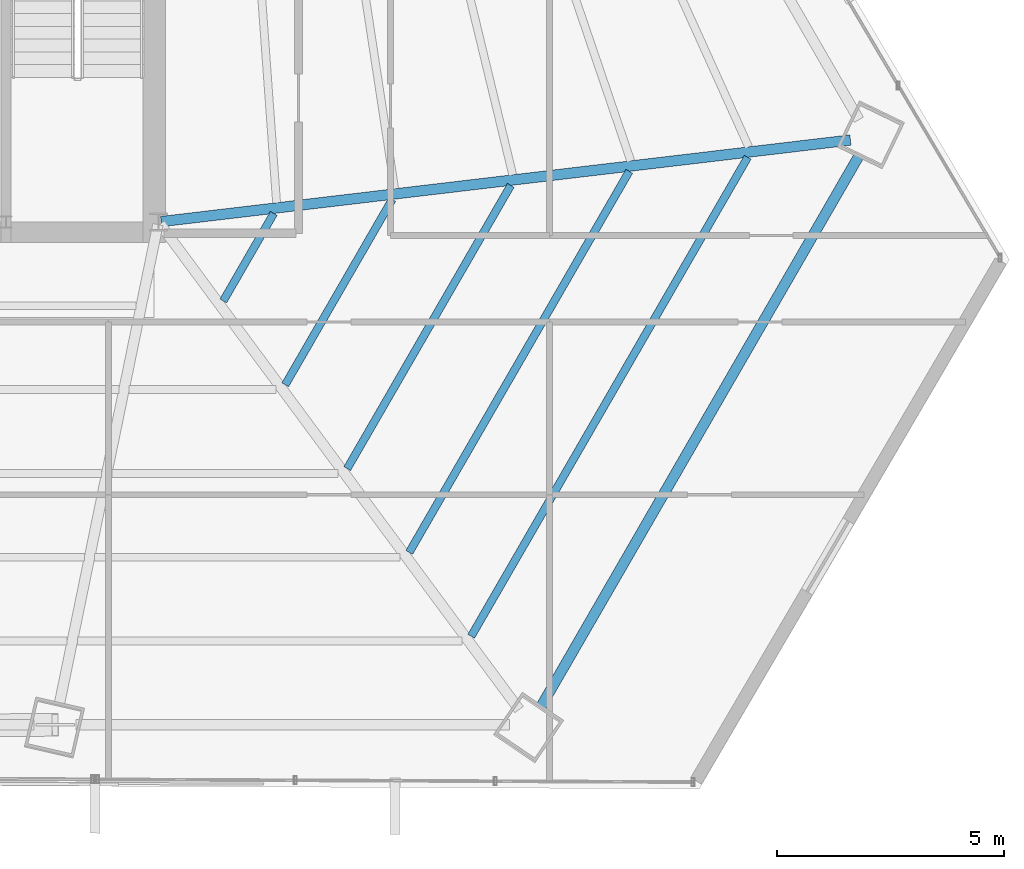
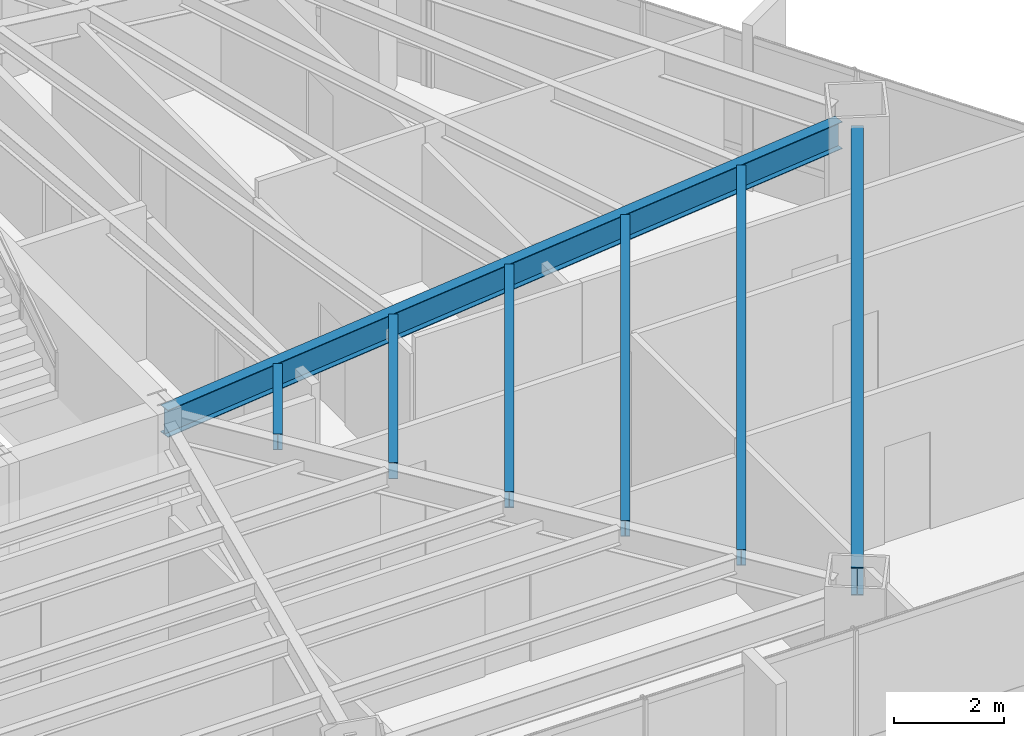
# One storey, part 18 of 37: 7 beams.
"""IFC4 building model written with IfcOpenShell, lengths in metres."""

from ifc_helpers import new_model, si_unit, direction, frame, origin, origin_2d, place, context, subcontext, project, spatial, i_section, extrude, source, transform, mapped, material, material_profile, profile_set, type_object, type_shapes, element, save


model = new_model("IFC4")

# Units and contexts
model_context = context("Model", 3, precision=1e-05, world=origin(), true_north=direction((0.0, 1.0)))
body_context = subcontext(model_context, "Body", "Model", "MODEL_VIEW")
ifc_project = project(units=[si_unit("LENGTHUNIT", "METRE"), si_unit("AREAUNIT", "SQUARE_METRE"), si_unit("VOLUMEUNIT", "CUBIC_METRE"), si_unit("PLANEANGLEUNIT", "RADIAN"), si_unit("MASSUNIT", "GRAM", prefix="KILO")], contexts=[model_context])

# Site, building, storey
site_placement = place(None, origin())
site = spatial("IfcSite", under=ifc_project, at=site_placement, CompositionType="ELEMENT")
building_placement = place(site_placement, origin())
building = spatial("IfcBuilding", under=site, at=building_placement, Name="Caelisora Broadcast Tower", CompositionType="ELEMENT")
storey_placement = place(building_placement, frame((0.0, 0.0, 101.75)))
storey = spatial("IfcBuildingStorey", under=building, at=storey_placement, Name="L26", CompositionType="ELEMENT", Elevation=101.75)

# Beams
ifc_material = material(Name="Steel Grade 350 (AS/NZS 3679.1)", Category="steel")
ifc_material_profile_1 = material_profile(ifc_material, i_section(OverallWidth=0.22900390625, OverallDepth=0.611572265625, WebThickness=0.011962890625, FlangeThickness=0.01953125, at=origin_2d()), Name="Steel Grade 350 (AS/NZS 3679.1)")
ifc_profile_set_1 = profile_set([ifc_material_profile_1], Name="Steel Grade 350 (AS/NZS 3679.1)")
beam_type_1 = type_object("IfcBeamType", Name="PG03", PredefinedType="BEAM", material=ifc_profile_set_1)
shared_shape_1 = source(origin(), body_context, "Body", "SweptSolid", [
    extrude(i_section(OverallWidth=0.22900390625, OverallDepth=0.611572265625, WebThickness=0.011962890625, FlangeThickness=0.01953125, at=origin_2d()), origin(), (0.0, 0.0, 1.0), 13.986083984375),
])
type_shapes(beam_type_1, [shared_shape_1])
beam_1_placement = place(storey_placement, frame((53.91015625, 6.739501953125, 3.09423828125), z_axis=(0.500006525586, 0.866021636203, 0.0), x_axis=(-0.866021636203, 0.500006525586, 0.0)))
element("IfcBeam", 1, at=beam_1_placement, inside=storey, type_object=beam_type_1, Name="L26 beam PG03", PredefinedType="BEAM", context=body_context, shape_type="MappedRepresentation", body=[
    mapped(shared_shape_1, transform((0.0, 0.0, 0.0), scale=1.0)),
])
ifc_material_profile_2 = material_profile(ifc_material, i_section(OverallWidth=0.22802734375, OverallDepth=0.602294921875, WebThickness=0.010498046875, FlangeThickness=0.014892578125, at=origin_2d()), Name="Steel Grade 350 (AS/NZS 3679.1)")
ifc_profile_set_2 = profile_set([ifc_material_profile_2], Name="Steel Grade 350 (AS/NZS 3679.1)")
beam_type_2 = type_object("IfcBeamType", Name="PG04", PredefinedType="BEAM", material=ifc_profile_set_2)
shared_shape_2 = source(origin(), body_context, "Body", "SweptSolid", [
    extrude(i_section(OverallWidth=0.22802734375, OverallDepth=0.602294921875, WebThickness=0.010498046875, FlangeThickness=0.014892578125, at=origin_2d()), origin(), (0.0, 0.0, 1.0), 15.26220703125),
])
type_shapes(beam_type_2, [shared_shape_2])
beam_2_placement = place(storey_placement, frame((45.5595703125, 17.406982421875, 3.098876953125), z_axis=(0.993069895621, 0.11752524159, 0.0), x_axis=(-0.11752524159, 0.993069895621, 0.0)))
element("IfcBeam", 2, at=beam_2_placement, inside=storey, type_object=beam_type_2, Name="L26 beam PG04", PredefinedType="BEAM", context=body_context, shape_type="MappedRepresentation", body=[
    mapped(shared_shape_2, transform((0.0, 0.0, 0.0), scale=1.0)),
])
ifc_material_profile_3 = material_profile(ifc_material, i_section(OverallWidth=0.172119140625, OverallDepth=0.358642578125, WebThickness=0.008056640625, FlangeThickness=0.012939453125, at=origin_2d()), Name="Steel Grade 350 (AS/NZS 3679.1)")
ifc_profile_set_3 = profile_set([ifc_material_profile_3], Name="Steel Grade 350 (AS/NZS 3679.1)")
beam_type_3 = type_object("IfcBeamType", Name="SB02", PredefinedType="JOIST", material=ifc_profile_set_3)
shared_shape_3 = source(origin(), body_context, "Body", "SweptSolid", [
    extrude(i_section(OverallWidth=0.172119140625, OverallDepth=0.358642578125, WebThickness=0.008056640625, FlangeThickness=0.012939453125, at=origin_2d()), origin(), (0.0, 0.0, 1.0), 2.2236328125),
])
beam_3_placement = place(storey_placement, frame((46.924072265625, 15.661865234375, 3.220703125), z_axis=(0.499988560547, 0.866032008255, 0.0), x_axis=(-0.866032008255, 0.499988560547, 0.0)))
element("IfcBeam", 3, at=beam_3_placement, inside=storey, type_object=beam_type_3, Name="L26 beam SB02", PredefinedType="JOIST", context=body_context, shape_type="MappedRepresentation", body=[
    mapped(shared_shape_3, transform((0.0, 0.0, 0.0), scale=1.0)),
])
shared_shape_4 = source(origin(), body_context, "Body", "SweptSolid", [
    extrude(i_section(OverallWidth=0.172119140625, OverallDepth=0.358642578125, WebThickness=0.008056640625, FlangeThickness=0.012939453125, at=origin_2d()), origin(), (0.0, 0.0, 1.0), 4.7080078125),
])
beam_4_placement = place(storey_placement, frame((48.287353515625, 13.818603515625, 3.220703125), z_axis=(0.499987288472, 0.866032742664, 0.0), x_axis=(-0.866032742664, 0.499987288472, 0.0)))
element("IfcBeam", 4, at=beam_4_placement, inside=storey, type_object=beam_type_3, Name="L26 beam SB02", PredefinedType="JOIST", context=body_context, shape_type="MappedRepresentation", body=[
    mapped(shared_shape_4, transform((0.0, 0.0, 0.0), scale=1.0)),
])
shared_shape_5 = source(origin(), body_context, "Body", "SweptSolid", [
    extrude(i_section(OverallWidth=0.172119140625, OverallDepth=0.358642578125, WebThickness=0.008056640625, FlangeThickness=0.012939453125, at=origin_2d()), origin(), (0.0, 0.0, 1.0), 7.1923828125),
])
beam_5_placement = place(storey_placement, frame((49.650634765625, 11.9755859375, 3.220703125), z_axis=(0.500027050864, 0.866009785398, 0.0), x_axis=(-0.866009785398, 0.500027050864, 0.0)))
element("IfcBeam", 5, at=beam_5_placement, inside=storey, type_object=beam_type_3, Name="L26 beam SB02", PredefinedType="JOIST", context=body_context, shape_type="MappedRepresentation", body=[
    mapped(shared_shape_5, transform((0.0, 0.0, 0.0), scale=1.0)),
])
shared_shape_6 = source(origin(), body_context, "Body", "SweptSolid", [
    extrude(i_section(OverallWidth=0.172119140625, OverallDepth=0.358642578125, WebThickness=0.008056640625, FlangeThickness=0.012939453125, at=origin_2d()), origin(), (0.0, 0.0, 1.0), 9.6767578125),
])
beam_6_placement = place(storey_placement, frame((51.01416015625, 10.13232421875, 3.220703125), z_axis=(0.499997628298, 0.866026773083, 0.0), x_axis=(-0.866026773083, 0.499997628298, 0.0)))
element("IfcBeam", 6, at=beam_6_placement, inside=storey, type_object=beam_type_3, Name="L26 beam SB02", PredefinedType="JOIST", context=body_context, shape_type="MappedRepresentation", body=[
    mapped(shared_shape_6, transform((0.0, 0.0, 0.0), scale=1.0)),
])
shared_shape_7 = source(origin(), body_context, "Body", "SweptSolid", [
    extrude(i_section(OverallWidth=0.172119140625, OverallDepth=0.358642578125, WebThickness=0.008056640625, FlangeThickness=0.012939453125, at=origin_2d()), origin(), (0.0, 0.0, 1.0), 12.1611328125),
])
type_shapes(beam_type_3, [shared_shape_3, shared_shape_4, shared_shape_5, shared_shape_6, shared_shape_7])
beam_7_placement = place(storey_placement, frame((52.37744140625, 8.289306640625, 3.220703125), z_axis=(0.500003976293, 0.866023108059, 0.0), x_axis=(-0.866023108059, 0.500003976293, 0.0)))
element("IfcBeam", 7, at=beam_7_placement, inside=storey, type_object=beam_type_3, Name="L26 beam SB02", PredefinedType="JOIST", context=body_context, shape_type="MappedRepresentation", body=[
    mapped(shared_shape_7, transform((0.0, 0.0, 0.0), scale=1.0)),
])

save(model, "model.ifc")
